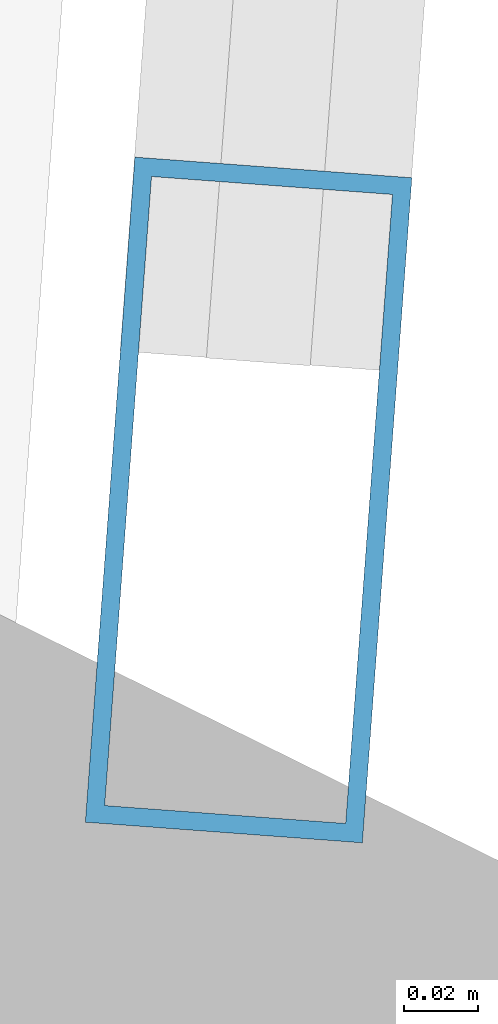
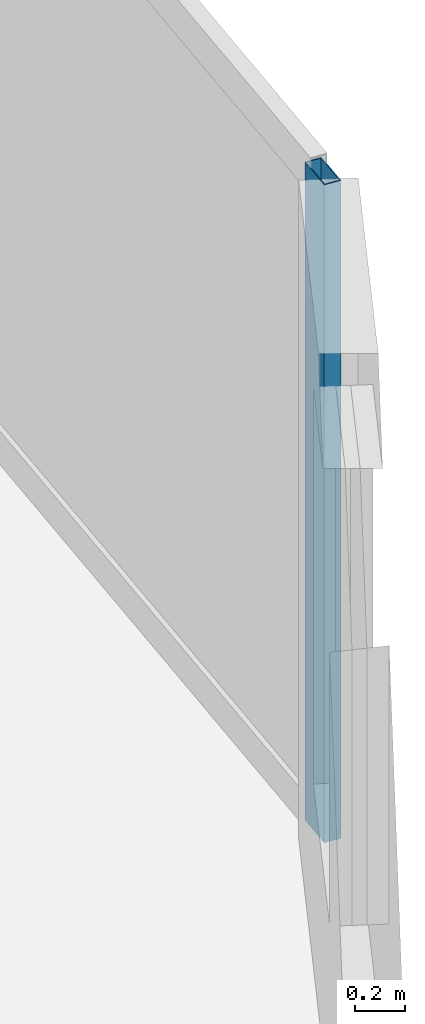
# One storey, part 6 of 19: 1 member, 1 element without a shape of its own.
"""IFC4 building model written with IfcOpenShell, lengths in metres."""

from ifc_helpers import new_model, si_unit, direction, frame, origin, origin_2d, place, context, subcontext, project, spatial, hollow_rectangle, extrude, source, transform, mapped, material, layer, layer_set, material_profile, profile_set, type_object, type_shapes, element, aggregate, save


model = new_model("IFC4")

# Units and contexts
model_context = context("Model", 3, precision=1e-05, world=origin(), true_north=direction((0.0, 1.0)))
body_context = subcontext(model_context, "Body", "Model", "MODEL_VIEW")
ifc_project = project(units=[si_unit("LENGTHUNIT", "METRE"), si_unit("AREAUNIT", "SQUARE_METRE"), si_unit("VOLUMEUNIT", "CUBIC_METRE"), si_unit("PLANEANGLEUNIT", "RADIAN"), si_unit("MASSUNIT", "GRAM", prefix="KILO")], contexts=[model_context])

# Site, building, storey
site_placement = place(None, origin())
site = spatial("IfcSite", under=ifc_project, at=site_placement, CompositionType="ELEMENT")
building_placement = place(site_placement, origin())
building = spatial("IfcBuilding", under=site, at=building_placement, Name="Talar Marvaseh", CompositionType="ELEMENT")
storey_placement = place(building_placement, frame((0.0, 0.0, 222.199951171875)))
storey = spatial("IfcBuildingStorey", under=building, at=storey_placement, Name="L58", CompositionType="ELEMENT", Elevation=222.199951171875)

# Curtain wall, member
ifc_material = material(Name="Architectural Aluminium", Category="aluminium")
ifc_layer = layer(ifc_material, 0.18994140625)
ifc_layer_set = layer_set([ifc_layer], Name="Architectural Aluminium")
curtain_wall_type = type_object("IfcCurtainWallType", Name="Unitised Solar Atelier Curtain Wall Z3", PredefinedType="NOTDEFINED", material=ifc_layer_set)
curtain_wall_placement = place(storey_placement, origin())
curtain_wall = element("IfcCurtainWall", 1, at=curtain_wall_placement, inside=storey, type_object=curtain_wall_type, Name="L58 Unitised Solar Atelier Curtain Wall Z3", PredefinedType="NOTDEFINED")
ifc_material_profile = material_profile(ifc_material, hollow_rectangle(XDim=0.074951171875, YDim=0.179931640625, WallThickness=0.0048828125, at=origin_2d()), Name="RHS180x75x5")
ifc_profile_set = profile_set([ifc_material_profile], Name="Architectural Aluminium")
member_type = type_object("IfcMemberType", Name="Unitised Curtain Wall Standard Mullion RHS180x75x5", PredefinedType="MULLION", material=ifc_profile_set)
shared_shape = source(origin(), body_context, "Body", "SweptSolid", [
    extrude(hollow_rectangle(XDim=0.074951171875, YDim=0.179931640625, WallThickness=0.0048828125, at=origin_2d()), origin(), (0.0, 0.0, 1.0), 3.22998046875),
])
type_shapes(member_type, [shared_shape])
member_placement = place(storey_placement, frame((39.38525390625, 22.532470703125, 0.0), z_axis=(0.0, 0.0, 1.0), x_axis=(0.997238678211, -0.074263171764, 0.0)))
member = element("IfcMember", 2, at=member_placement, type_object=member_type, Name="CW-Z3 mullion 5", PredefinedType="MULLION", context=body_context, shape_type="MappedRepresentation", body=[
    mapped(shared_shape, transform((0.0, 0.0, 0.0), x_axis=(1.0, 0.0, 0.0), y_axis=(0.0, 1.0, 0.0), z_axis=(0.0, 0.0, 1.0), scale=1.0)),
])
aggregate(curtain_wall, [member])

save(model, "model.ifc")
